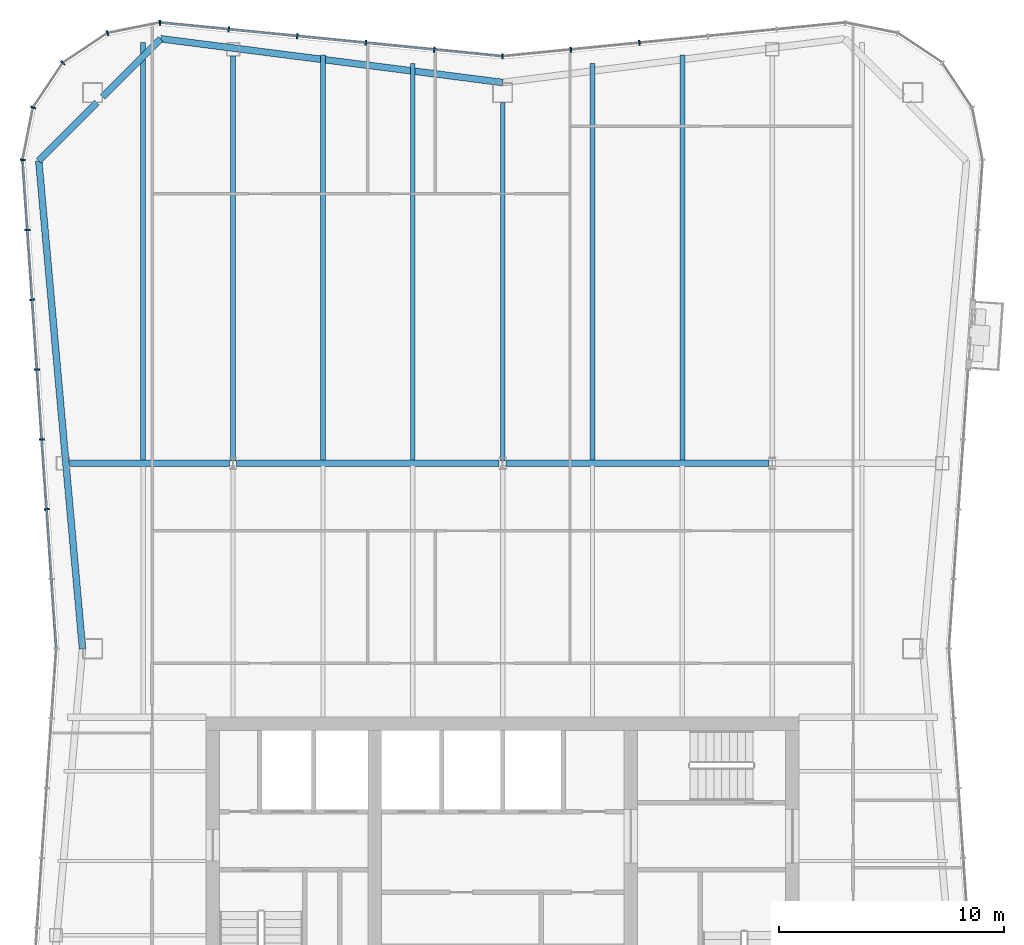
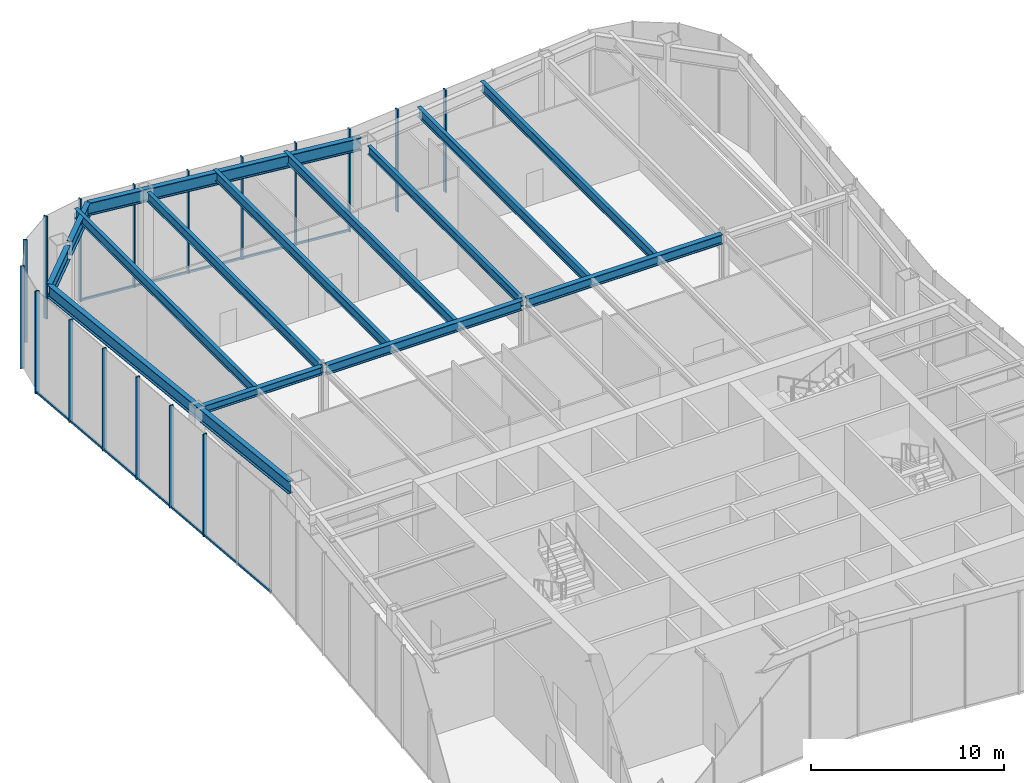
# One storey, part 6 of 15: 19 members, 14 beams, 3 elements without a shape of their own.
"""IFC4 building model written with IfcOpenShell, lengths in metres."""

from ifc_helpers import new_model, si_unit, direction, frame, origin, origin_2d, place, context, subcontext, project, spatial, rectangle, i_section, extrude, material, material_profile, profile_set, type_object, element, aggregate, save


model = new_model("IFC4")

# Units and contexts
model_context = context("Model", 3, precision=1e-05, world=origin(), true_north=direction((0.0, 1.0)))
body_context = subcontext(model_context, "Body", "Model", "MODEL_VIEW")
ifc_project = project(units=[si_unit("LENGTHUNIT", "METRE"), si_unit("AREAUNIT", "SQUARE_METRE"), si_unit("VOLUMEUNIT", "CUBIC_METRE"), si_unit("PLANEANGLEUNIT", "RADIAN"), si_unit("MASSUNIT", "GRAM", prefix="KILO")], contexts=[model_context])

# Site, building, storey
site_placement = place(None, origin())
site = spatial("IfcSite", under=ifc_project, at=site_placement, CompositionType="ELEMENT")
building_placement = place(site_placement, origin())
building = spatial("IfcBuilding", under=site, at=building_placement, Name="Verdant Reach Tower", CompositionType="ELEMENT")
storey_placement = place(building_placement, frame((0.0, 0.0, 334.0)))
storey = spatial("IfcBuildingStorey", under=building, at=storey_placement, Name="L77", CompositionType="ELEMENT", Elevation=334.0)

# Curtain wall, members
ifc_material_1 = material(Name="Anodised aluminium", Category="aluminium")
curtain_wall_type = type_object("IfcCurtainWallType", Name="EN-CW SYSTEM Z5", PredefinedType="NOTDEFINED", material=ifc_material_1)
curtain_wall_1_placement = place(storey_placement, origin())
curtain_wall_1 = element("IfcCurtainWall", 1, at=curtain_wall_1_placement, inside=storey, type_object=curtain_wall_type, Name="Curtain wall north, L77", PredefinedType="NOTDEFINED")
ifc_material_profile_1 = material_profile(ifc_material_1, rectangle(XDim=0.22998046875, YDim=0.070068359375, at=origin_2d()), Name="Mullion 70x230")
ifc_profile_set_1 = profile_set([ifc_material_profile_1], Name="Anodised aluminium")
member_type_1 = type_object("IfcMemberType", Name="EN-MULLION Z5", PredefinedType="MULLION", material=ifc_profile_set_1)
member_1_placement = place(storey_placement, frame((6.088623046875, 68.21435546875, -0.35009765625), z_axis=(0.0, 0.0, 1.0), x_axis=(-0.09788826992, 0.995197410875, 0.0)))
member_1 = element("IfcMember", 2, at=member_1_placement, type_object=member_type_1, Name="Mullion north face part 1 4, L77", PredefinedType="MULLION", context=body_context, shape_type="SweptSolid", body=[
    extrude(rectangle(XDim=0.22998046875, YDim=0.070068359375, at=origin_2d()), origin(), (0.0, 0.0, 1.0), 6.5),
])
member_2_placement = place(storey_placement, frame((3.038818359375, 67.91455078125, -0.35009765625), z_axis=(0.0, 0.0, 1.0), x_axis=(-0.09788826992, 0.995197410875, 0.0)))
member_2 = element("IfcMember", 3, at=member_2_placement, type_object=member_type_1, Name="Mullion north face part 1 5, L77", PredefinedType="MULLION", context=body_context, shape_type="SweptSolid", body=[
    extrude(rectangle(XDim=0.22998046875, YDim=0.070068359375, at=origin_2d()), origin(), (0.0, 0.0, 1.0), 6.5),
])
member_3_placement = place(storey_placement, frame((0.0, 67.614990234375, -0.35009765625), z_axis=(0.0, 0.0, 1.0), x_axis=(0.0, 1.0, 0.0)))
member_3 = element("IfcMember", 4, at=member_3_placement, type_object=member_type_1, Name="Mullion north face part 2 1, L77", PredefinedType="MULLION", context=body_context, shape_type="SweptSolid", body=[
    extrude(rectangle(XDim=0.22998046875, YDim=0.070068359375, at=origin_2d()), origin(), (0.0, 0.0, 1.0), 6.5),
])
member_4_placement = place(storey_placement, frame((-3.038818359375, 67.91455078125, -0.35009765625), z_axis=(0.0, 0.0, 1.0), x_axis=(0.09788826992, 0.995197410875, 0.0)))
member_4 = element("IfcMember", 5, at=member_4_placement, type_object=member_type_1, Name="Mullion north face part 2 2, L77", PredefinedType="MULLION", context=body_context, shape_type="SweptSolid", body=[
    extrude(rectangle(XDim=0.22998046875, YDim=0.070068359375, at=origin_2d()), origin(), (0.0, 0.0, 1.0), 6.5),
])
member_5_placement = place(storey_placement, frame((-6.088623046875, 68.21435546875, -0.35009765625), z_axis=(0.0, 0.0, 1.0), x_axis=(0.09788826992, 0.995197410875, 0.0)))
member_5 = element("IfcMember", 6, at=member_5_placement, type_object=member_type_1, Name="Mullion north face part 2 3, L77", PredefinedType="MULLION", context=body_context, shape_type="SweptSolid", body=[
    extrude(rectangle(XDim=0.22998046875, YDim=0.070068359375, at=origin_2d()), origin(), (0.0, 0.0, 1.0), 6.5),
])
member_6_placement = place(storey_placement, frame((-9.138671875, 68.514404296875, -0.35009765625), z_axis=(0.0, 0.0, 1.0), x_axis=(0.09788826992, 0.995197410875, 0.0)))
member_6 = element("IfcMember", 7, at=member_6_placement, type_object=member_type_1, Name="Mullion north face part 2 4, L77", PredefinedType="MULLION", context=body_context, shape_type="SweptSolid", body=[
    extrude(rectangle(XDim=0.22998046875, YDim=0.070068359375, at=origin_2d()), origin(), (0.0, 0.0, 1.0), 6.5),
])
member_7_placement = place(storey_placement, frame((-12.188720703125, 68.814453125, -0.35009765625), z_axis=(0.0, 0.0, 1.0), x_axis=(0.09788826992, 0.995197410875, 0.0)))
member_7 = element("IfcMember", 8, at=member_7_placement, type_object=member_type_1, Name="Mullion north face part 2 5, L77", PredefinedType="MULLION", context=body_context, shape_type="SweptSolid", body=[
    extrude(rectangle(XDim=0.22998046875, YDim=0.070068359375, at=origin_2d()), origin(), (0.0, 0.0, 1.0), 6.5),
])

curtain_wall_2_placement = place(storey_placement, origin())
curtain_wall_2 = element("IfcCurtainWall", 9, at=curtain_wall_2_placement, inside=storey, type_object=curtain_wall_type, Name="Curtain wall north-west corner, L77", PredefinedType="NOTDEFINED")
member_8_placement = place(storey_placement, frame((-15.255615234375, 69.11474609375, -0.35009765625), z_axis=(0.0, 0.0, 1.0), x_axis=(-0.049127596288, 0.998792510626, 0.0)))
member_8 = element("IfcMember", 10, at=member_8_placement, type_object=member_type_1, Name="Mullion north-west corner 1, L77", PredefinedType="MULLION", context=body_context, shape_type="SweptSolid", body=[
    extrude(rectangle(XDim=0.22998046875, YDim=0.070068359375, at=origin_2d()), origin(), (0.0, 0.0, 1.0), 6.5),
])
member_9_placement = place(storey_placement, frame((-17.590087890625, 68.649658203125, -0.35009765625), z_axis=(0.0, 0.0, 1.0), x_axis=(-0.382693853776, 0.923875215753, 0.0)))
member_9 = element("IfcMember", 11, at=member_9_placement, type_object=member_type_1, Name="Mullion north-west corner 2, L77", PredefinedType="MULLION", context=body_context, shape_type="SweptSolid", body=[
    extrude(rectangle(XDim=0.22998046875, YDim=0.070068359375, at=origin_2d()), origin(), (0.0, 0.0, 1.0), 6.5),
])
member_10_placement = place(storey_placement, frame((-19.573974609375, 67.323974609375, -0.35009765625), z_axis=(0.0, 0.0, 1.0), x_axis=(-0.707106781187, 0.707106781187, 0.0)))
member_10 = element("IfcMember", 12, at=member_10_placement, type_object=member_type_1, Name="Mullion north-west corner 3, L77", PredefinedType="MULLION", context=body_context, shape_type="SweptSolid", body=[
    extrude(rectangle(XDim=0.22998046875, YDim=0.070068359375, at=origin_2d()), origin(), (0.0, 0.0, 1.0), 6.5),
])
member_11_placement = place(storey_placement, frame((-20.899658203125, 65.340087890625, -0.35009765625), z_axis=(0.0, 0.0, 1.0), x_axis=(-0.923875215753, 0.382693853776, 0.0)))
member_11 = element("IfcMember", 13, at=member_11_placement, type_object=member_type_1, Name="Mullion north-west corner 4, L77", PredefinedType="MULLION", context=body_context, shape_type="SweptSolid", body=[
    extrude(rectangle(XDim=0.22998046875, YDim=0.070068359375, at=origin_2d()), origin(), (0.0, 0.0, 1.0), 6.5),
])
aggregate(curtain_wall_2, [member_8, member_9, member_10, member_11])

curtain_wall_3_placement = place(storey_placement, origin())
curtain_wall_3 = element("IfcCurtainWall", 14, at=curtain_wall_3_placement, inside=storey, type_object=curtain_wall_type, Name="Curtain wall west, L77", PredefinedType="NOTDEFINED")
member_12_placement = place(storey_placement, frame((-21.36474609375, 63.00732421875, -0.35009765625), z_axis=(0.0, 0.0, 1.0), x_axis=(-0.997969180898, 0.063698618332, 0.0)))
member_12 = element("IfcMember", 15, at=member_12_placement, type_object=member_type_1, Name="Mullion west face part 1 1, L77", PredefinedType="MULLION", context=body_context, shape_type="SweptSolid", body=[
    extrude(rectangle(XDim=0.22998046875, YDim=0.070068359375, at=origin_2d()), origin(), (0.0, 0.0, 1.0), 6.5),
])
member_13_placement = place(storey_placement, frame((-21.150390625, 59.885009765625, -0.35009765625), z_axis=(0.0, 0.0, 1.0), x_axis=(-0.997630328423, -0.068802091615, 0.0)))
member_13 = element("IfcMember", 16, at=member_13_placement, type_object=member_type_1, Name="Mullion west face part 1 2, L77", PredefinedType="MULLION", context=body_context, shape_type="SweptSolid", body=[
    extrude(rectangle(XDim=0.22998046875, YDim=0.070068359375, at=origin_2d()), origin(), (0.0, 0.0, 1.0), 6.5),
])
member_14_placement = place(storey_placement, frame((-20.93603515625, 56.77783203125, -0.35009765625), z_axis=(0.0, 0.0, 1.0), x_axis=(-0.997630328423, -0.068802091615, 0.0)))
member_14 = element("IfcMember", 17, at=member_14_placement, type_object=member_type_1, Name="Mullion west face part 1 3, L77", PredefinedType="MULLION", context=body_context, shape_type="SweptSolid", body=[
    extrude(rectangle(XDim=0.22998046875, YDim=0.070068359375, at=origin_2d()), origin(), (0.0, 0.0, 1.0), 6.5),
])
member_15_placement = place(storey_placement, frame((-20.721923828125, 53.670654296875, -0.35009765625), z_axis=(0.0, 0.0, 1.0), x_axis=(-0.997630328423, -0.068802091615, 0.0)))
member_15 = element("IfcMember", 18, at=member_15_placement, type_object=member_type_1, Name="Mullion west face part 1 4, L77", PredefinedType="MULLION", context=body_context, shape_type="SweptSolid", body=[
    extrude(rectangle(XDim=0.22998046875, YDim=0.070068359375, at=origin_2d()), origin(), (0.0, 0.0, 1.0), 6.5),
])
member_16_placement = place(storey_placement, frame((-20.507568359375, 50.5634765625, -0.35009765625), z_axis=(0.0, 0.0, 1.0), x_axis=(-0.997630328423, -0.068802091615, 0.0)))
member_16 = element("IfcMember", 19, at=member_16_placement, type_object=member_type_1, Name="Mullion west face part 1 5, L77", PredefinedType="MULLION", context=body_context, shape_type="SweptSolid", body=[
    extrude(rectangle(XDim=0.22998046875, YDim=0.070068359375, at=origin_2d()), origin(), (0.0, 0.0, 1.0), 6.5),
])
member_17_placement = place(storey_placement, frame((-20.293212890625, 47.456298828125, -0.35009765625), z_axis=(0.0, 0.0, 1.0), x_axis=(-0.997630328423, -0.068802091615, 0.0)))
member_17 = element("IfcMember", 20, at=member_17_placement, type_object=member_type_1, Name="Mullion west face part 1 6, L77", PredefinedType="MULLION", context=body_context, shape_type="SweptSolid", body=[
    extrude(rectangle(XDim=0.22998046875, YDim=0.070068359375, at=origin_2d()), origin(), (0.0, 0.0, 1.0), 6.5),
])

# Member
ifc_material_profile_2 = material_profile(ifc_material_1, rectangle(XDim=0.10009765625, YDim=0.1298828125, at=origin_2d()), Name="Transom 130x100")
ifc_profile_set_2 = profile_set([ifc_material_profile_2], Name="Anodised aluminium")
member_type_2 = type_object("IfcMemberType", Name="EN-TRANSOM Z5", PredefinedType="USERDEFINED", material=ifc_profile_set_2)
member_18_placement = place(storey_placement, frame((-0.034912109375, 67.618408203125, -0.284912109375), z_axis=(-0.99520229006, 0.097838652171, 0.0), x_axis=(-0.097838652171, -0.99520229006, 0.0)))
member_18 = element("IfcMember", 21, at=member_18_placement, type_object=member_type_2, Name="Transom north face part 2 1.1, L77", ObjectType="TRANSOM", PredefinedType="USERDEFINED", context=body_context, shape_type="SweptSolid", body=[
    extrude(rectangle(XDim=0.10009765625, YDim=0.1298828125, at=origin_2d()), origin(), (0.0, 0.0, 1.0), 15.259033203125),
])

aggregate(curtain_wall_1, [member_1, member_2, member_3, member_4, member_5, member_6, member_7, member_18])

member_19_placement = place(storey_placement, frame((-21.3623046875, 62.972412109375, -0.284912109375), z_axis=(0.068764705107, -0.997632906099, 0.0), x_axis=(0.997632906099, 0.068764705107, 0.0)))
member_19 = element("IfcMember", 22, at=member_19_placement, type_object=member_type_2, Name="Transom west face part 1 1.1, L77", ObjectType="TRANSOM", PredefinedType="USERDEFINED", context=body_context, shape_type="SweptSolid", body=[
    extrude(rectangle(XDim=0.10009765625, YDim=0.1298828125, at=origin_2d()), origin(), (0.0, 0.0, 1.0), 21.739013671875),
])

aggregate(curtain_wall_3, [member_12, member_13, member_14, member_15, member_16, member_17, member_19])

# Beams
ifc_material_2 = material(Name="Steel S355", Category="steel")
ifc_material_profile_3 = material_profile(ifc_material_2, i_section(OverallWidth=0.300048828125, OverallDepth=0.489990234375, WebThickness=0.011962890625, FlangeThickness=0.02294921875, FilletRadius=0.027099609375, at=origin_2d()), Name="HEA 500")
ifc_profile_set_3 = profile_set([ifc_material_profile_3], Name="Steel S355")
beam_type_1 = type_object("IfcBeamType", Name="ST-BEAM-HEA500", PredefinedType="BEAM", material=ifc_profile_set_3)
beam_1_placement = place(storey_placement, frame((-19.26904296875, 49.5, 6.10498046875), z_axis=(1.0, 0.0, 0.0), x_axis=(0.0, 1.0, 0.0)))
element("IfcBeam", 23, at=beam_1_placement, inside=storey, type_object=beam_type_1, Name="Row girder, L77", PredefinedType="BEAM", context=body_context, shape_type="SweptSolid", body=[
    extrude(i_section(OverallWidth=0.300048828125, OverallDepth=0.489990234375, WebThickness=0.011962890625, FlangeThickness=0.02294921875, FilletRadius=0.027099609375, at=origin_2d()), origin(), (0.0, 0.0, 1.0), 7.115966796875),
])
ifc_material_profile_4 = material_profile(ifc_material_2, i_section(OverallWidth=0.300048828125, OverallDepth=0.60009765625, WebThickness=0.015380859375, FlangeThickness=0.030029296875, FilletRadius=0.027099609375, at=origin_2d()), Name="HEB 600")
ifc_profile_set_4 = profile_set([ifc_material_profile_4], Name="Steel S355")
beam_type_2 = type_object("IfcBeamType", Name="ST-BEAM-HEB600", PredefinedType="BEAM", material=ifc_profile_set_4)
for number, where, z_axis, x_axis, name in (
    (24, (-11.846923828125, 49.5, 6.050048828125), (1.0, 0.0, 0.0), (0.0, 1.0, 0.0), "Row girder, L77"),
    (25, (0.153076171875, 49.5, 6.050048828125), (1.0, 0.0, 0.0), (0.0, 1.0, 0.0), "Row girder, L77"),
):
    element("IfcBeam", number, at=place(storey_placement, frame(where, z_axis=z_axis, x_axis=x_axis)), inside=storey, type_object=beam_type_2, Name=name, PredefinedType="BEAM", context=body_context, shape_type="SweptSolid", body=[
        extrude(i_section(OverallWidth=0.300048828125, OverallDepth=0.60009765625, WebThickness=0.015380859375, FlangeThickness=0.030029296875, FilletRadius=0.027099609375, at=origin_2d()), origin(), (0.0, 0.0, 1.0), 11.69384765625),
    ])
ifc_material_profile_5 = material_profile(ifc_material_2, i_section(OverallWidth=0.2099609375, OverallDepth=0.550048828125, WebThickness=0.010986328125, FlangeThickness=0.01708984375, FilletRadius=0.02392578125, at=origin_2d()), Name="IPE 550")
ifc_profile_set_5 = profile_set([ifc_material_profile_5], Name="Steel S355")
beam_type_3 = type_object("IfcBeamType", Name="ST-JOIST-IPE550", PredefinedType="JOIST", material=ifc_profile_set_5)
beam_2_placement = place(storey_placement, frame((0.0, 49.60009765625, 6.074951171875), z_axis=(0.0, 1.0, 0.0), x_axis=(-1.0, 0.0, 0.0)))
element("IfcBeam", 26, at=beam_2_placement, inside=storey, type_object=beam_type_3, Name="Floor joist, L77", PredefinedType="JOIST", context=body_context, shape_type="SweptSolid", body=[
    extrude(i_section(OverallWidth=0.2099609375, OverallDepth=0.550048828125, WebThickness=0.010986328125, FlangeThickness=0.01708984375, FilletRadius=0.02392578125, at=origin_2d()), origin(), (0.0, 0.0, 1.0), 15.949951171875),
])
ifc_material_profile_6 = material_profile(ifc_material_2, i_section(OverallWidth=0.219970703125, OverallDepth=0.60009765625, WebThickness=0.011962890625, FlangeThickness=0.01904296875, FilletRadius=0.02392578125, at=origin_2d()), Name="IPE 600")
ifc_profile_set_6 = profile_set([ifc_material_profile_6], Name="Steel S355")
beam_type_4 = type_object("IfcBeamType", Name="ST-JOIST-IPE600", PredefinedType="JOIST", material=ifc_profile_set_6)
beam_3_placement = place(storey_placement, frame((-16.0, 49.60009765625, 6.050048828125), z_axis=(0.0, 1.0, 0.0), x_axis=(-1.0, 0.0, 0.0)))
element("IfcBeam", 27, at=beam_3_placement, inside=storey, type_object=beam_type_4, Name="Floor joist, L77", PredefinedType="JOIST", context=body_context, shape_type="SweptSolid", body=[
    extrude(i_section(OverallWidth=0.219970703125, OverallDepth=0.60009765625, WebThickness=0.011962890625, FlangeThickness=0.01904296875, FilletRadius=0.02392578125, at=origin_2d()), origin(), (0.0, 0.0, 1.0), 18.638916015625),
])
beam_4_placement = place(storey_placement, frame((-12.0, 49.60009765625, 6.050048828125), z_axis=(0.0, 1.0, 0.0), x_axis=(-1.0, 0.0, 0.0)))
element("IfcBeam", 28, at=beam_4_placement, inside=storey, type_object=beam_type_4, Name="Floor joist, L77", PredefinedType="JOIST", context=body_context, shape_type="SweptSolid", body=[
    extrude(i_section(OverallWidth=0.219970703125, OverallDepth=0.60009765625, WebThickness=0.011962890625, FlangeThickness=0.01904296875, FilletRadius=0.02392578125, at=origin_2d()), origin(), (0.0, 0.0, 1.0), 18.0302734375),
])
beam_5_placement = place(storey_placement, frame((-8.0, 49.60009765625, 6.050048828125), z_axis=(0.0, 1.0, 0.0), x_axis=(-1.0, 0.0, 0.0)))
element("IfcBeam", 29, at=beam_5_placement, inside=storey, type_object=beam_type_4, Name="Floor joist, L77", PredefinedType="JOIST", context=body_context, shape_type="SweptSolid", body=[
    extrude(i_section(OverallWidth=0.219970703125, OverallDepth=0.60009765625, WebThickness=0.011962890625, FlangeThickness=0.01904296875, FilletRadius=0.02392578125, at=origin_2d()), origin(), (0.0, 0.0, 1.0), 18.083984375),
])
for number, where, z_axis, x_axis, name in (
    (30, (-4.0, 49.60009765625, 6.050048828125), (0.0, 1.0, 0.0), (-1.0, 0.0, 0.0), "Floor joist, L77"),
    (31, (4.0, 49.60009765625, 6.050048828125), (0.0, 1.0, 0.0), (-1.0, 0.0, 0.0), "Floor joist, L77"),
):
    element("IfcBeam", number, at=place(storey_placement, frame(where, z_axis=z_axis, x_axis=x_axis)), inside=storey, type_object=beam_type_4, Name=name, PredefinedType="JOIST", context=body_context, shape_type="SweptSolid", body=[
        extrude(i_section(OverallWidth=0.219970703125, OverallDepth=0.60009765625, WebThickness=0.011962890625, FlangeThickness=0.01904296875, FilletRadius=0.02392578125, at=origin_2d()), origin(), (0.0, 0.0, 1.0), 17.6904296875),
    ])
beam_6_placement = place(storey_placement, frame((8.0, 49.60009765625, 6.050048828125), z_axis=(0.0, 1.0, 0.0), x_axis=(-1.0, 0.0, 0.0)))
element("IfcBeam", 32, at=beam_6_placement, inside=storey, type_object=beam_type_4, Name="Floor joist, L77", PredefinedType="JOIST", context=body_context, shape_type="SweptSolid", body=[
    extrude(i_section(OverallWidth=0.219970703125, OverallDepth=0.60009765625, WebThickness=0.011962890625, FlangeThickness=0.01904296875, FilletRadius=0.02392578125, at=origin_2d()), origin(), (0.0, 0.0, 1.0), 18.083984375),
])
ifc_material_profile_7 = material_profile(ifc_material_2, i_section(OverallWidth=0.300048828125, OverallDepth=0.800048828125, WebThickness=0.017578125, FlangeThickness=0.032958984375, FilletRadius=0.030029296875, at=origin_2d()), Name="HEB 800")
ifc_profile_set_7 = profile_set([ifc_material_profile_7], Name="Steel S355")
beam_type_5 = type_object("IfcBeamType", Name="ST-SPANDREL-HEB800", PredefinedType="SPANDREL", material=ifc_profile_set_7)
beam_7_placement = place(storey_placement, frame((-18.699951171875, 41.25, 5.949951171875), z_axis=(-0.089274399498, 0.996007069048, 0.0), x_axis=(-0.996007069048, -0.089274399498, 0.0)))
element("IfcBeam", 33, at=beam_7_placement, inside=storey, type_object=beam_type_5, Name="Edge beam, L77", PredefinedType="SPANDREL", context=body_context, shape_type="SweptSolid", body=[
    extrude(i_section(OverallWidth=0.300048828125, OverallDepth=0.800048828125, WebThickness=0.017578125, FlangeThickness=0.032958984375, FilletRadius=0.030029296875, at=origin_2d()), origin(), (0.0, 0.0, 1.0), 21.798583984375),
])
beam_8_placement = place(storey_placement, frame((-15.22021484375, 68.394287109375, 5.949951171875), z_axis=(0.991938889669, -0.126717162063, 0.0), x_axis=(0.126717162063, 0.991938889669, 0.0)))
element("IfcBeam", 34, at=beam_8_placement, inside=storey, type_object=beam_type_5, Name="Edge beam, L77", PredefinedType="SPANDREL", context=body_context, shape_type="SweptSolid", body=[
    extrude(i_section(OverallWidth=0.300048828125, OverallDepth=0.800048828125, WebThickness=0.017578125, FlangeThickness=0.032958984375, FilletRadius=0.030029296875, at=origin_2d()), origin(), (0.0, 0.0, 1.0), 15.343994140625),
])
ifc_material_profile_8 = material_profile(ifc_material_2, i_section(OverallWidth=0.302001953125, OverallDepth=0.909912109375, WebThickness=0.02099609375, FlangeThickness=0.0400390625, FilletRadius=0.030029296875, at=origin_2d()), Name="HEM 900")
ifc_profile_set_8 = profile_set([ifc_material_profile_8], Name="Steel S355")
beam_type_6 = type_object("IfcBeamType", Name="ST-SPANDREL-HEM900", PredefinedType="SPANDREL", material=ifc_profile_set_8)
beam_9_placement = place(storey_placement, frame((-20.64599609375, 62.96142578125, 5.89501953125), z_axis=(0.706639493403, 0.707573760369, 0.0), x_axis=(-0.707573760369, 0.706639493403, 0.0)))
element("IfcBeam", 35, at=beam_9_placement, inside=storey, type_object=beam_type_6, Name="Edge beam, L77", PredefinedType="SPANDREL", context=body_context, shape_type="SweptSolid", body=[
    extrude(i_section(OverallWidth=0.302001953125, OverallDepth=0.909912109375, WebThickness=0.02099609375, FlangeThickness=0.0400390625, FilletRadius=0.030029296875, at=origin_2d()), origin(), (0.0, 0.0, 1.0), 3.658447265625),
])
beam_10_placement = place(storey_placement, frame((-17.800048828125, 65.81103515625, 5.89501953125), z_axis=(0.706638520854, 0.707574731632, 0.0), x_axis=(-0.707574731632, 0.706638520854, 0.0)))
element("IfcBeam", 36, at=beam_10_placement, inside=storey, type_object=beam_type_6, Name="Edge beam, L77", PredefinedType="SPANDREL", context=body_context, shape_type="SweptSolid", body=[
    extrude(i_section(OverallWidth=0.302001953125, OverallDepth=0.909912109375, WebThickness=0.02099609375, FlangeThickness=0.0400390625, FilletRadius=0.030029296875, at=origin_2d()), origin(), (0.0, 0.0, 1.0), 3.65087890625),
])

save(model, "model.ifc")
